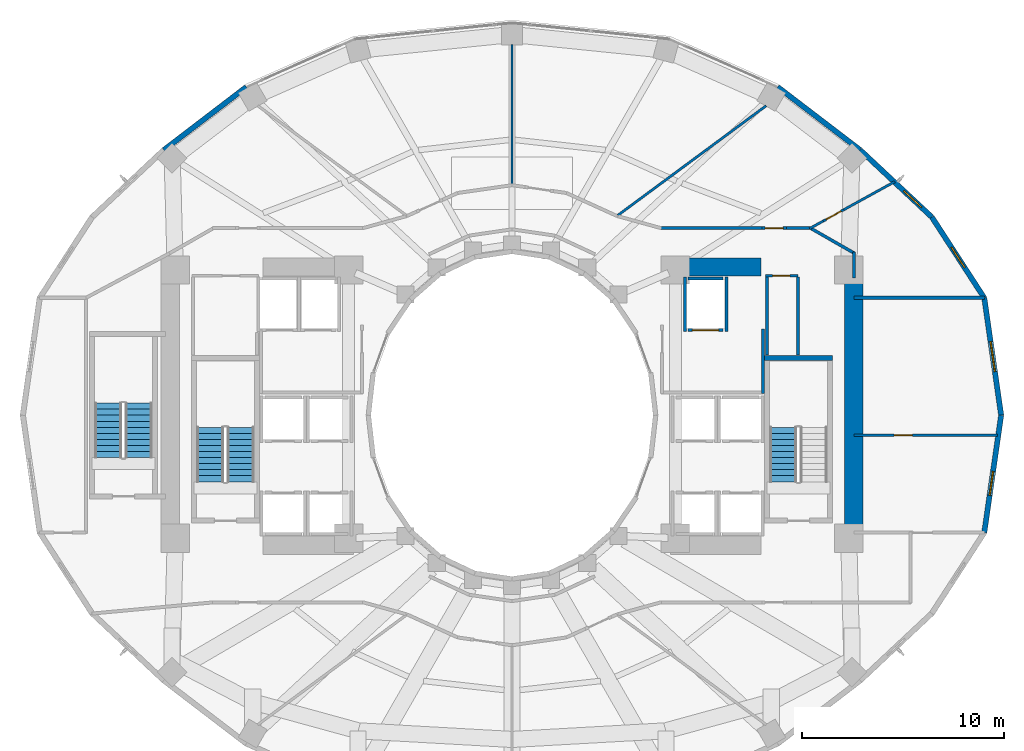
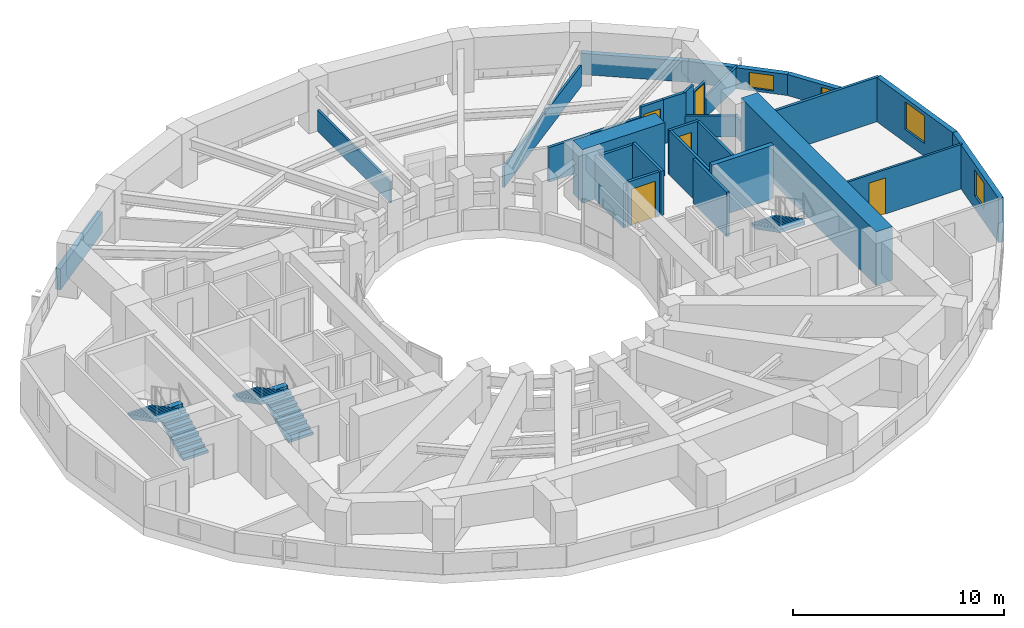
# One storey, part 15 of 19: 29 walls, 5 doors, 5 stair flights, 4 windows, 9 openings, 3 elements without a shape of their own.
"""IFC4 building model written with IfcOpenShell, lengths in metres."""

from ifc_helpers import new_model, si_unit, direction, frame, frame_2d, origin, place, context, subcontext, project, spatial, polyline, rectangle, outline, extrude, material, layer, layer_set, type_object, element, fill, aggregate, save


model = new_model("IFC4")

# Units and contexts
model_context = context("Model", 3, precision=1e-05, world=origin(), true_north=direction((0.0, 1.0)))
body_context = subcontext(model_context, "Body", "Model", "MODEL_VIEW")
ifc_project = project(units=[si_unit("LENGTHUNIT", "METRE"), si_unit("AREAUNIT", "SQUARE_METRE"), si_unit("VOLUMEUNIT", "CUBIC_METRE"), si_unit("PLANEANGLEUNIT", "RADIAN"), si_unit("MASSUNIT", "GRAM", prefix="KILO")], contexts=[model_context])

# Site, building, storey
site_placement = place(None, origin())
site = spatial("IfcSite", under=ifc_project, at=site_placement, CompositionType="ELEMENT")
building_placement = place(site_placement, origin())
building = spatial("IfcBuilding", under=site, at=building_placement, Name="Solvane Sanctuary Tower", CompositionType="ELEMENT")
storey_placement = place(building_placement, frame((0.0, 0.0, 73.199951171875)))
storey = spatial("IfcBuildingStorey", under=building, at=storey_placement, Name="L21", CompositionType="ELEMENT", Elevation=73.199951171875)

# Walls
ifc_material_1 = material(Name="Concrete C70/85", Category="concrete")
ifc_layer_1 = layer(ifc_material_1, 0.89990234375, Name="Concrete C70/85")
ifc_layer_set_1 = layer_set([ifc_layer_1], Name="Concrete C70/85")
wall_type_1 = type_object("IfcWallType", Name="Wall W-CORE-900", PredefinedType="SHEAR", material=ifc_layer_set_1)
wall_1_placement = place(storey_placement, frame((48.949951171875, 17.050048828125, 0.0), z_axis=(0.0, 0.0, 1.0), x_axis=(0.0, 1.0, 0.0)))
element("IfcWall", 1, at=wall_1_placement, inside=storey, type_object=wall_type_1, Name="L21 Core Shear Wall EC-E", PredefinedType="SHEAR", context=body_context, shape_type="SweptSolid", body=[
    extrude(rectangle(XDim=12.800048828125, YDim=0.89990234375, at=frame_2d((6.39990234375, 0.0))), origin(), (0.0, 0.0, 1.0), 3.10009765625),
])
wall_2_placement = place(storey_placement, frame((39.85009765625, 30.35009765625, 0.0), z_axis=(0.0, 0.0, 1.0), x_axis=(1.0, 0.0, 0.0)))
element("IfcWall", 2, at=wall_2_placement, inside=storey, type_object=wall_type_1, Name="L21 Core Shear Wall EC-N", PredefinedType="SHEAR", context=body_context, shape_type="SweptSolid", body=[
    extrude(rectangle(XDim=4.5, YDim=0.89990234375, at=frame_2d((2.25, 0.0))), origin(), (0.0, 0.0, 1.0), 3.10009765625),
])
ifc_material_2 = material(Name="Acoustic Gypsum Partition Board")
ifc_layer_2 = layer(ifc_material_2, 0.14990234375, Name="Acoustic Gypsum Partition Board")
ifc_layer_set_2 = layer_set([ifc_layer_2], Name="Acoustic Gypsum Partition Board")
wall_type_2 = type_object("IfcWallType", Name="Wall W-CORR-150", PredefinedType="PARTITIONING", material=ifc_layer_set_2)
wall_3_placement = place(storey_placement, frame((44.449951171875, 24.080078125, 0.0), z_axis=(0.0, 0.0, 1.0), x_axis=(0.0, 1.0, 0.0)))
element("IfcWall", 3, at=wall_3_placement, inside=storey, type_object=wall_type_2, Name="L21 East Firefighting Lobby East Wall", PredefinedType="PARTITIONING", context=body_context, shape_type="SweptSolid", body=[
    extrude(rectangle(XDim=3.199951171875, YDim=0.14990234375, at=frame_2d((1.60009765625, 0.0))), origin(), (0.0, 0.0, 1.0), 2.574951171875),
])
wall_4_placement = place(storey_placement, frame((48.949951171875, 28.8251953125, 0.0), z_axis=(0.0, 0.0, 1.0), x_axis=(1.0, 0.0, 0.0)))
element("IfcWall", 4, at=wall_4_placement, inside=storey, type_object=wall_type_2, Name="L21 East Shoulder North Wall", PredefinedType="PARTITIONING", context=body_context, shape_type="SweptSolid", body=[
    extrude(rectangle(XDim=6.49169921875, YDim=0.14990234375, at=frame_2d((3.245849609375, 0.0))), origin(), (0.0, 0.0, 1.0), 2.574951171875),
])
wall_5_placement = place(storey_placement, frame((48.949951171875, 29.800048828125, 0.0), z_axis=(0.0, 0.0, 1.0), x_axis=(0.0, 1.0, 0.0)))
element("IfcWall", 5, at=wall_5_placement, inside=storey, type_object=wall_type_2, Name="L21 NE Corner Closer 1", PredefinedType="PARTITIONING", context=body_context, shape_type="SweptSolid", body=[
    extrude(rectangle(XDim=1.2900390625, YDim=0.14990234375, at=frame_2d((0.64501953125, 0.0))), origin(), (0.0, 0.0, 1.0), 1.219970703125),
])
wall_6_placement = place(storey_placement, frame((39.330078125, 32.280029296875, 0.0), z_axis=(0.0, 0.0, 1.0), x_axis=(1.0, 0.0, 0.0)))
element("IfcWall", 6, at=wall_6_placement, inside=storey, type_object=wall_type_2, Name="L21 NE Corner Corridor Wall", PredefinedType="PARTITIONING", context=body_context, shape_type="SweptSolid", body=[
    extrude(rectangle(XDim=5.059814453125, YDim=0.14990234375, at=frame_2d((2.52978515625, 0.0))), origin(), (0.0, 0.0, 1.0), 1.991943359375),
])

# Wall, opening, door
wall_7_placement = place(storey_placement, frame((44.389892578125, 32.280029296875, 0.0), z_axis=(0.0, 0.0, 1.0), x_axis=(1.0, 0.0, 0.0)))
wall_7 = element("IfcWall", 7, at=wall_7_placement, inside=storey, type_object=wall_type_2, Name="L21 NE Corner Corridor Wall", PredefinedType="PARTITIONING", context=body_context, shape_type="SweptSolid", body=[
    extrude(rectangle(XDim=1.22021484375, YDim=0.14990234375, at=frame_2d((0.610107421875, 0.0))), origin(), (0.0, 0.0, 1.0), 2.574951171875),
])
opening_1_placement = place(wall_7_placement, frame((0.159912109375, 0.0, 0.0)))
opening_1 = element("IfcOpeningElement", 8, at=opening_1_placement, cuts=wall_7, Name="Opening D-L21-12", PredefinedType="OPENING", context=body_context, shape_type="SweptSolid", body=[
    extrude(rectangle(XDim=0.89990234375, YDim=2.10009765625, at=frame_2d((0.449951171875, 1.050048828125))), frame((0.0, 0.0849609375, 0.0), z_axis=(0.0, -1.0, 0.0), x_axis=(1.0, 0.0, 0.0)), (0.0, 0.0, 1.0), 0.169921875),
])
ifc_material_3 = material(Name="Engineered Tropical Hardwood", Category="wood")
door_type_1 = type_object("IfcDoorType", Name="Door D-WET-900", OperationType="NOTDEFINED", PredefinedType="DOOR", material=ifc_material_3)
door_1_placement = place(opening_1_placement, origin())
door_1 = element("IfcDoor", 9, at=door_1_placement, inside=storey, type_object=door_type_1, Name="L21 NE Corner Salon Door", OperationType="SINGLE_SWING_LEFT", OverallHeight=2.10009765625, OverallWidth=0.89990234375, PredefinedType="DOOR", context=body_context, shape_type="SweptSolid", body=[
    extrude(rectangle(XDim=0.89990234375, YDim=2.10009765625, at=frame_2d((0.449951171875, 1.050048828125))), frame((0.0, 0.02490234375, 0.0), z_axis=(0.0, -1.0, 0.0), x_axis=(1.0, 0.0, 0.0)), (0.0, 0.0, 1.0), 0.050048828125),
])
fill(opening_1, door_1)

# Walls
wall_8_placement = place(storey_placement, frame((45.610107421875, 32.280029296875, 0.0), z_axis=(0.0, 0.0, 1.0), x_axis=(1.0, 0.0, 0.0)))
element("IfcWall", 10, at=wall_8_placement, inside=storey, type_object=wall_type_2, Name="L21 NE Corner Corridor Wall", PredefinedType="PARTITIONING", context=body_context, shape_type="SweptSolid", body=[
    extrude(rectangle(XDim=1.239990234375, YDim=0.14990234375, at=frame_2d((0.6201171875, 0.0))), origin(), (0.0, 0.0, 1.0), 2.574951171875),
])
wall_9_placement = place(storey_placement, frame((46.756591796875, 32.3046875, 0.0), z_axis=(0.0, 0.0, 1.0), x_axis=(0.867991349648, -0.496579315857, 0.0)))
element("IfcWall", 11, at=wall_9_placement, inside=storey, type_object=wall_type_2, Name="L21 NE Corner Wing Wall", PredefinedType="PARTITIONING", context=body_context, shape_type="SweptSolid", body=[
    extrude(rectangle(XDim=2.56689453125, YDim=0.14990234375, at=frame_2d((1.283447265625, 0.0))), origin(), (0.0, 0.0, 1.0), 1.219970703125),
])

# Wall, opening, window
ifc_material_4 = material(Name="Precast concrete C40/50", Category="concrete")
ifc_layer_3 = layer(ifc_material_4, 0.260009765625, Name="Precast concrete C40/50")
ifc_layer_set_3 = layer_set([ifc_layer_3], Name="Precast concrete C40/50")
wall_type_3 = type_object("IfcWallType", Name="Wall W-EXT-250", PredefinedType="STANDARD", material=ifc_layer_set_3)
wall_10_placement = place(storey_placement, frame((56.260009765625, 23.0, 0.0), z_axis=(0.0, 0.0, 1.0), x_axis=(-0.142572472068, 0.98978436551, 0.0)))
wall_10 = element("IfcWall", 12, at=wall_10_placement, inside=storey, type_object=wall_type_3, Name="L21 Ceramic-Printed Facade Wall 00", PredefinedType="STANDARD", context=body_context, shape_type="SweptSolid", body=[
    extrude(rectangle(XDim=5.878662109375, YDim=0.260009765625, at=frame_2d((2.939453125, 0.0))), origin(), (0.0, 0.0, 1.0), 2.570068359375),
])
opening_2_placement = place(wall_10_placement, frame((2.189453125, 0.0, 0.75)))
opening_2 = element("IfcOpeningElement", 13, at=opening_2_placement, cuts=wall_10, Name="Opening WN-OPER-1500", PredefinedType="OPENING", context=body_context, shape_type="SweptSolid", body=[
    extrude(rectangle(XDim=1.5, YDim=1.60009765625, at=frame_2d((0.75, 0.800048828125))), frame((0.0, 0.139892578125, 0.0), z_axis=(0.0, -1.0, 0.0), x_axis=(1.0, 0.0, 0.0)), (0.0, 0.0, 1.0), 0.280029296875),
])
ifc_material_5 = material(Name="Dark Ceramic-Fritted Low-E Glass", Category="glass")
window_type_1 = type_object("IfcWindowType", Name="Window WN-OPER-1500", PartitioningType="SINGLE_PANEL", PredefinedType="WINDOW", material=ifc_material_5)
window_1_placement = place(opening_2_placement, origin())
window_1 = element("IfcWindow", 14, at=window_1_placement, inside=storey, type_object=window_type_1, Name="L21 Operable Facade Window 00", OverallHeight=1.60009765625, OverallWidth=1.5, PartitioningType="SINGLE_PANEL", PredefinedType="WINDOW", context=body_context, shape_type="SweptSolid", body=[
    extrude(rectangle(XDim=1.5, YDim=1.60009765625, at=frame_2d((0.75, 0.800048828125))), frame((0.0, 0.030029296875, 0.0), z_axis=(0.0, -1.0, 0.0), x_axis=(1.0, 0.0, 0.0)), (0.0, 0.0, 1.0), 0.06005859375),
])
fill(opening_2, window_1)

wall_11_placement = place(storey_placement, frame((55.421875, 28.818603515625, 0.0), z_axis=(0.0, 0.0, 1.0), x_axis=(-0.544388392991, 0.838833283541, 0.0)))
wall_11 = element("IfcWall", 15, at=wall_11_placement, inside=storey, type_object=wall_type_3, Name="L21 Ceramic-Printed Facade Wall 01", PredefinedType="STANDARD", context=body_context, shape_type="SweptSolid", body=[
    extrude(rectangle(XDim=4.7783203125, YDim=0.260009765625, at=frame_2d((2.38916015625, 0.0))), origin(), (0.0, 0.0, 1.0), 1.219970703125),
])
opening_3_placement = place(wall_11_placement, frame((1.7890625, 0.0, 0.14990234375)))
opening_3 = element("IfcOpeningElement", 16, at=opening_3_placement, cuts=wall_11, Name="Opening WN-OPER-1200", PredefinedType="OPENING", context=body_context, shape_type="SweptSolid", body=[
    extrude(rectangle(XDim=1.199951171875, YDim=0.89990234375, at=frame_2d((0.60009765625, 0.449951171875))), frame((0.0, 0.139892578125, 0.0), z_axis=(0.0, -1.0, 0.0), x_axis=(1.0, 0.0, 0.0)), (0.0, 0.0, 1.0), 0.280029296875),
])
window_type_2 = type_object("IfcWindowType", Name="Window WN-OPER-1200", PartitioningType="SINGLE_PANEL", PredefinedType="WINDOW", material=ifc_material_5)
window_2_placement = place(opening_3_placement, origin())
window_2 = element("IfcWindow", 17, at=window_2_placement, inside=storey, type_object=window_type_2, Name="L21 Operable Facade Window 01", OverallHeight=0.89990234375, OverallWidth=1.199951171875, PartitioningType="SINGLE_PANEL", PredefinedType="WINDOW", context=body_context, shape_type="SweptSolid", body=[
    extrude(rectangle(XDim=1.199951171875, YDim=0.89990234375, at=frame_2d((0.60009765625, 0.449951171875))), frame((0.0, 0.030029296875, 0.0), z_axis=(0.0, -1.0, 0.0), x_axis=(1.0, 0.0, 0.0)), (0.0, 0.0, 1.0), 0.06005859375),
])
fill(opening_3, window_2)

wall_12_placement = place(storey_placement, frame((52.820556640625, 32.826904296875, 0.0), z_axis=(0.0, 0.0, 1.0), x_axis=(-0.730162452258, 0.68327358599, 0.0)))
wall_12 = element("IfcWall", 18, at=wall_12_placement, inside=storey, type_object=wall_type_3, Name="L21 Ceramic-Printed Facade Wall 02", PredefinedType="STANDARD", context=body_context, shape_type="SweptSolid", body=[
    extrude(rectangle(XDim=4.868408203125, YDim=0.260009765625, at=frame_2d((2.43408203125, 0.0))), origin(), (0.0, 0.0, 1.0), 1.219970703125),
])
opening_4_placement = place(wall_12_placement, frame((0.7001953125, 0.0, 0.14990234375)))
opening_4 = element("IfcOpeningElement", 19, at=opening_4_placement, cuts=wall_12, Name="Opening WN-OPER-1200", PredefinedType="OPENING", context=body_context, shape_type="SweptSolid", body=[
    extrude(rectangle(XDim=1.199951171875, YDim=0.89990234375, at=frame_2d((0.60009765625, 0.449951171875))), frame((0.0, 0.139892578125, 0.0), z_axis=(0.0, -1.0, 0.0), x_axis=(1.0, 0.0, 0.0)), (0.0, 0.0, 1.0), 0.280029296875),
])
window_3_placement = place(opening_4_placement, origin())
window_3 = element("IfcWindow", 20, at=window_3_placement, inside=storey, type_object=window_type_2, Name="L21 Operable Facade Window 02", OverallHeight=0.89990234375, OverallWidth=1.199951171875, PartitioningType="SINGLE_PANEL", PredefinedType="WINDOW", context=body_context, shape_type="SweptSolid", body=[
    extrude(rectangle(XDim=1.199951171875, YDim=0.89990234375, at=frame_2d((0.60009765625, 0.449951171875))), frame((0.0, 0.030029296875, 0.0), z_axis=(0.0, -1.0, 0.0), x_axis=(1.0, 0.0, 0.0)), (0.0, 0.0, 1.0), 0.06005859375),
])
fill(opening_4, window_3)

# Walls
for number, where, z_axis, x_axis, name in (
    (21, (49.265869140625, 36.1533203125, 0.0), (0.0, 0.0, 1.0), (-0.794809810864, 0.606858603427, 0.0), "L21 Ceramic-Printed Facade Wall 03"),
    (22, (18.82666015625, 39.278076171875, 0.0), (0.0, 0.0, 1.0), (-0.794809810864, -0.606858603427, 0.0), "L21 Ceramic-Printed Facade Wall 08"),
):
    element("IfcWall", number, at=place(storey_placement, frame(where, z_axis=z_axis, x_axis=x_axis)), inside=storey, type_object=wall_type_3, Name=name, PredefinedType="STANDARD", context=body_context, shape_type="SweptSolid", body=[
        extrude(rectangle(XDim=5.149169921875, YDim=0.260009765625, at=frame_2d((2.57470703125, 0.0))), origin(), (0.0, 0.0, 1.0), 1.219970703125),
    ])

# Wall, opening, window
wall_13_placement = place(storey_placement, frame((55.421875, 17.181396484375, 0.0), z_axis=(0.0, 0.0, 1.0), x_axis=(0.142572472068, 0.98978436551, 0.0)))
wall_13 = element("IfcWall", 23, at=wall_13_placement, inside=storey, type_object=wall_type_3, Name="L21 Ceramic-Printed Facade Wall 23", PredefinedType="STANDARD", context=body_context, shape_type="SweptSolid", body=[
    extrude(rectangle(XDim=5.878662109375, YDim=0.260009765625, at=frame_2d((2.939453125, 0.0))), origin(), (0.0, 0.0, 1.0), 2.570068359375),
])
opening_5_placement = place(wall_13_placement, frame((1.859130859375, 0.0, 0.75)))
opening_5 = element("IfcOpeningElement", 24, at=opening_5_placement, cuts=wall_13, Name="Opening WN-OPER-1200", PredefinedType="OPENING", context=body_context, shape_type="SweptSolid", body=[
    extrude(rectangle(XDim=1.199951171875, YDim=1.5, at=frame_2d((0.60009765625, 0.75))), frame((0.0, 0.139892578125, 0.0), z_axis=(0.0, -1.0, 0.0), x_axis=(1.0, 0.0, 0.0)), (0.0, 0.0, 1.0), 0.280029296875),
])
window_4_placement = place(opening_5_placement, origin())
window_4 = element("IfcWindow", 25, at=window_4_placement, inside=storey, type_object=window_type_2, Name="L21 Operable Facade Window 23", OverallHeight=1.5, OverallWidth=1.199951171875, PartitioningType="SINGLE_PANEL", PredefinedType="WINDOW", context=body_context, shape_type="SweptSolid", body=[
    extrude(rectangle(XDim=1.199951171875, YDim=1.5, at=frame_2d((0.60009765625, 0.75))), frame((0.0, 0.030029296875, 0.0), z_axis=(0.0, -1.0, 0.0), x_axis=(1.0, 0.0, 0.0)), (0.0, 0.0, 1.0), 0.06005859375),
])
fill(opening_5, window_4)

# Wall, opening, door
ifc_layer_4 = layer(ifc_material_2, 0.1201171875, Name="Acoustic Gypsum Partition Board")
ifc_layer_set_4 = layer_set([ifc_layer_4], Name="Acoustic Gypsum Partition Board")
wall_type_4 = type_object("IfcWallType", Name="Wall W-MOV-100", PredefinedType="MOVABLE", material=ifc_layer_set_4)
wall_14_placement = place(storey_placement, frame((48.949951171875, 22.0, 0.0), z_axis=(0.0, 0.0, 1.0), x_axis=(1.0, 0.0, 0.0)))
wall_14 = element("IfcWall", 26, at=wall_14_placement, inside=storey, type_object=wall_type_4, Name="L21 East Suite Partition", PredefinedType="MOVABLE", context=body_context, shape_type="SweptSolid", body=[
    extrude(rectangle(XDim=7.126220703125, YDim=0.1201171875, at=frame_2d((3.56298828125, 0.0))), origin(), (0.0, 0.0, 1.0), 2.574951171875),
])
opening_6_placement = place(wall_14_placement, frame((2.0, 0.0, 0.0)))
opening_6 = element("IfcOpeningElement", 27, at=opening_6_placement, cuts=wall_14, Name="Opening D-L21-09", PredefinedType="OPENING", context=body_context, shape_type="SweptSolid", body=[
    extrude(rectangle(XDim=0.89990234375, YDim=2.10009765625, at=frame_2d((0.449951171875, 1.050048828125))), frame((0.0, 0.070068359375, 0.0), z_axis=(0.0, -1.0, 0.0), x_axis=(1.0, 0.0, 0.0)), (0.0, 0.0, 1.0), 0.14013671875),
])
door_2_placement = place(opening_6_placement, origin())
door_2 = element("IfcDoor", 28, at=door_2_placement, inside=storey, type_object=door_type_1, Name="L21 East Suite Internal Door", OperationType="SINGLE_SWING_RIGHT", OverallHeight=2.10009765625, OverallWidth=0.89990234375, PredefinedType="DOOR", context=body_context, shape_type="SweptSolid", body=[
    extrude(rectangle(XDim=0.89990234375, YDim=2.10009765625, at=frame_2d((0.449951171875, 1.050048828125))), frame((0.0, 0.02490234375, 0.0), z_axis=(0.0, -1.0, 0.0), x_axis=(1.0, 0.0, 0.0)), (0.0, 0.0, 1.0), 0.050048828125),
])
fill(opening_6, door_2)

# Wall
wall_15_placement = place(storey_placement, frame((46.756103515625, 32.255859375, 0.0), z_axis=(0.0, 0.0, 1.0), x_axis=(0.875930419429, 0.482437457418, 0.0)))
element("IfcWall", 29, at=wall_15_placement, inside=storey, type_object=wall_type_4, Name="L21 NE Corner Suite Partition", PredefinedType="MOVABLE", context=body_context, shape_type="SweptSolid", body=[
    extrude(rectangle(XDim=0.77685546875, YDim=0.1201171875, at=frame_2d((0.388427734375, 0.0))), origin(), (0.0, 0.0, 1.0), 2.574951171875),
])

# Wall, opening, door
wall_16_placement = place(storey_placement, frame((47.4365234375, 32.630615234375, 0.0), z_axis=(0.0, 0.0, 1.0), x_axis=(0.876030797447, 0.482255162673, 0.0)))
wall_16 = element("IfcWall", 30, at=wall_16_placement, inside=storey, type_object=wall_type_4, Name="L21 NE Corner Suite Partition", PredefinedType="MOVABLE", context=body_context, shape_type="SweptSolid", body=[
    extrude(rectangle(XDim=1.169921875, YDim=0.1201171875, at=frame_2d((0.5849609375, 0.0))), origin(), (0.0, 0.0, 1.0), 2.110107421875),
])
opening_7_placement = place(wall_16_placement, frame((0.159912109375, 0.0, 0.0)))
opening_7 = element("IfcOpeningElement", 31, at=opening_7_placement, cuts=wall_16, Name="Opening D-L21-11", PredefinedType="OPENING", context=body_context, shape_type="SweptSolid", body=[
    extrude(rectangle(XDim=0.85009765625, YDim=2.050048828125, at=frame_2d((0.425048828125, 1.02490234375))), frame((0.0, 0.070068359375, 0.0), z_axis=(0.0, -1.0, 0.0), x_axis=(1.0, 0.0, 0.0)), (0.0, 0.0, 1.0), 0.14013671875),
])
ifc_material_6 = material(Name="Architectural Stainless Steel 316", Category="steel")
door_type_2 = type_object("IfcDoorType", Name="Door D-RISER", OperationType="NOTDEFINED", PredefinedType="DOOR", material=ifc_material_6)
door_3_placement = place(opening_7_placement, origin())
door_3 = element("IfcDoor", 32, at=door_3_placement, inside=storey, type_object=door_type_2, Name="L21 NE Corner Suite Door", OperationType="SINGLE_SWING_RIGHT", OverallHeight=2.050048828125, OverallWidth=0.85009765625, PredefinedType="DOOR", context=body_context, shape_type="SweptSolid", body=[
    extrude(rectangle(XDim=0.85009765625, YDim=2.050048828125, at=frame_2d((0.425048828125, 1.02490234375))), frame((0.0, 0.02490234375, 0.0), z_axis=(0.0, -1.0, 0.0), x_axis=(1.0, 0.0, 0.0)), (0.0, 0.0, 1.0), 0.050048828125),
])
fill(opening_7, door_3)

# Walls
wall_17_placement = place(storey_placement, frame((48.46142578125, 33.19482421875, 0.0), z_axis=(0.0, 0.0, 1.0), x_axis=(0.876000760759, 0.482309721185, 0.0)))
element("IfcWall", 33, at=wall_17_placement, inside=storey, type_object=wall_type_4, Name="L21 NE Corner Suite Partition", PredefinedType="MOVABLE", context=body_context, shape_type="SweptSolid", body=[
    extrude(rectangle(XDim=2.876220703125, YDim=0.1201171875, at=frame_2d((1.43798828125, 0.0))), origin(), (0.0, 0.0, 1.0), 1.219970703125),
])
wall_18_placement = place(storey_placement, frame((37.249267578125, 32.9140625, 0.0), z_axis=(0.0, 0.0, 1.0), x_axis=(0.80430981394, 0.594210167533, 0.0)))
element("IfcWall", 34, at=wall_18_placement, inside=storey, type_object=wall_type_4, Name="L21 Sky Hall Radial Partition 060", PredefinedType="MOVABLE", context=body_context, shape_type="SweptSolid", body=[
    extrude(rectangle(XDim=9.146240234375, YDim=0.1201171875, at=frame_2d((4.5732421875, 0.0))), origin(), (0.0, 0.0, 1.0), 1.219970703125),
])
wall_19_placement = place(storey_placement, frame((32.0, 34.465087890625, 0.0), z_axis=(0.0, 0.0, 1.0), x_axis=(0.0, 1.0, 0.0)))
element("IfcWall", 35, at=wall_19_placement, inside=storey, type_object=wall_type_4, Name="L21 Sky Hall Radial Partition 090", PredefinedType="MOVABLE", context=body_context, shape_type="SweptSolid", body=[
    extrude(rectangle(XDim=6.909912109375, YDim=0.1201171875, at=frame_2d((3.455078125, 0.0))), origin(), (0.0, 0.0, 1.0), 1.219970703125),
])

# Wall, opening, door
ifc_material_7 = material(Name="Concrete C50/60", Category="concrete")
ifc_layer_5 = layer(ifc_material_7, 0.14990234375, Name="Concrete C50/60")
ifc_layer_set_5 = layer_set([ifc_layer_5], Name="Concrete C50/60")
wall_type_5 = type_object("IfcWallType", Name="Wall W-SHAFT-150", PredefinedType="SOLIDWALL", material=ifc_layer_set_5)
wall_20_placement = place(storey_placement, frame((40.739990234375, 27.219970703125, 0.0), z_axis=(0.0, 0.0, 1.0), x_axis=(1.0, 0.0, 0.0)))
wall_20 = element("IfcWall", 36, at=wall_20_placement, inside=storey, type_object=wall_type_5, Name="L21 FFL-2 Lift Shaft Wall F", PredefinedType="SOLIDWALL", context=body_context, shape_type="SweptSolid", body=[
    extrude(rectangle(XDim=1.719970703125, YDim=0.14990234375, at=frame_2d((0.85986328125, 0.0))), origin(), (0.0, 0.0, 1.0), 2.574951171875),
])
opening_8_placement = place(wall_20_placement, frame((0.2099609375, 0.0, 0.0)))
opening_8 = element("IfcOpeningElement", 37, at=opening_8_placement, cuts=wall_20, Name="Opening LD-L21-11", PredefinedType="OPENING", context=body_context, shape_type="SweptSolid", body=[
    extrude(rectangle(XDim=1.300048828125, YDim=2.10009765625, at=frame_2d((0.64990234375, 1.050048828125))), frame((0.0, 0.0849609375, 0.0), z_axis=(0.0, -1.0, 0.0), x_axis=(1.0, 0.0, 0.0)), (0.0, 0.0, 1.0), 0.169921875),
])
door_type_3 = type_object("IfcDoorType", Name="Door LD-FFL-1300", OperationType="NOTDEFINED", PredefinedType="DOOR", material=ifc_material_6)
door_4_placement = place(opening_8_placement, origin())
door_4 = element("IfcDoor", 38, at=door_4_placement, inside=storey, type_object=door_type_3, Name="L21 FFL-2 Lift Landing Door", OperationType="DOUBLE_DOOR_SLIDING", OverallHeight=2.10009765625, OverallWidth=1.300048828125, PredefinedType="DOOR", context=body_context, shape_type="SweptSolid", body=[
    extrude(rectangle(XDim=1.300048828125, YDim=2.10009765625, at=frame_2d((0.64990234375, 1.050048828125))), frame((0.0, 0.02490234375, 0.0), z_axis=(0.0, -1.0, 0.0), x_axis=(1.0, 0.0, 0.0)), (0.0, 0.0, 1.0), 0.050048828125),
])
fill(opening_8, door_4)

# Walls
wall_21_placement = place(storey_placement, frame((40.739990234375, 29.780029296875, 0.0), z_axis=(0.0, 0.0, 1.0), x_axis=(1.0, 0.0, 0.0)))
element("IfcWall", 39, at=wall_21_placement, inside=storey, type_object=wall_type_5, Name="L21 FFL-2 Lift Shaft Wall B", PredefinedType="SOLIDWALL", context=body_context, shape_type="SweptSolid", body=[
    extrude(rectangle(XDim=1.719970703125, YDim=0.14990234375, at=frame_2d((0.85986328125, 0.0))), origin(), (0.0, 0.0, 1.0), 2.574951171875),
])
for number, where, z_axis, x_axis, name in (
    (40, (40.570068359375, 27.139892578125, 0.0), (0.0, 0.0, 1.0), (0.0, 1.0, 0.0), "L21 FFL-2 Lift Shaft Wall S1"),
    (41, (42.6298828125, 27.139892578125, 0.0), (0.0, 0.0, 1.0), (0.0, 1.0, 0.0), "L21 FFL-2 Lift Shaft Wall S2"),
):
    element("IfcWall", number, at=place(storey_placement, frame(where, z_axis=z_axis, x_axis=x_axis)), inside=storey, type_object=wall_type_5, Name=name, PredefinedType="SOLIDWALL", context=body_context, shape_type="SweptSolid", body=[
        extrude(rectangle(XDim=2.72021484375, YDim=0.14990234375, at=frame_2d((1.360107421875, 0.0))), origin(), (0.0, 0.0, 1.0), 2.574951171875),
    ])
ifc_layer_6 = layer(ifc_material_7, 0.25, Name="Concrete C50/60")
ifc_layer_set_6 = layer_set([ifc_layer_6], Name="Concrete C50/60")
wall_type_6 = type_object("IfcWallType", Name="Wall W-SHAFT-250", PredefinedType="SOLIDWALL", material=ifc_layer_set_6)
wall_22_placement = place(storey_placement, frame((44.52490234375, 25.830078125, 0.0), z_axis=(0.0, 0.0, 1.0), x_axis=(1.0, 0.0, 0.0)))
element("IfcWall", 42, at=wall_22_placement, inside=storey, type_object=wall_type_6, Name="L21 ST-2 Load-Bearing Shaft Wall N", PredefinedType="SOLIDWALL", context=body_context, shape_type="SweptSolid", body=[
    extrude(rectangle(XDim=3.3701171875, YDim=0.25, at=frame_2d((1.68505859375, 0.0))), origin(), (0.0, 0.0, 1.0), 3.10009765625),
])

# Wall, opening, door
ifc_layer_7 = layer(ifc_material_2, 0.139892578125, Name="Acoustic Gypsum Partition Board")
ifc_layer_set_7 = layer_set([ifc_layer_7], Name="Acoustic Gypsum Partition Board")
wall_type_7 = type_object("IfcWallType", Name="Wall W-WET-140", PredefinedType="PLUMBINGWALL", material=ifc_layer_set_7)
wall_23_placement = place(storey_placement, frame((44.580078125, 29.919921875, 0.0), z_axis=(0.0, 0.0, 1.0), x_axis=(1.0, 0.0, 0.0)))
wall_23 = element("IfcWall", 43, at=wall_23_placement, inside=storey, type_object=wall_type_7, Name="L21 Core Service Front Wall KE0S", PredefinedType="PLUMBINGWALL", context=body_context, shape_type="SweptSolid", body=[
    extrude(rectangle(XDim=1.599853515625, YDim=0.139892578125, at=frame_2d((0.7998046875, 0.0))), origin(), (0.0, 0.0, 1.0), 2.574951171875),
])
opening_9_placement = place(wall_23_placement, frame((0.35009765625, 0.0, 0.0)))
opening_9 = element("IfcOpeningElement", 44, at=opening_9_placement, cuts=wall_23, Name="Opening D-L21-07", PredefinedType="OPENING", context=body_context, shape_type="SweptSolid", body=[
    extrude(rectangle(XDim=0.85009765625, YDim=2.050048828125, at=frame_2d((0.425048828125, 1.02490234375))), frame((0.0, 0.079833984375, 0.0), z_axis=(0.0, -1.0, 0.0), x_axis=(1.0, 0.0, 0.0)), (0.0, 0.0, 1.0), 0.159912109375),
])
door_5_placement = place(opening_9_placement, origin())
door_5 = element("IfcDoor", 45, at=door_5_placement, inside=storey, type_object=door_type_2, Name="L21 Core Service Room Door KE0S-1", OperationType="SINGLE_SWING_RIGHT", OverallHeight=2.050048828125, OverallWidth=0.85009765625, PredefinedType="DOOR", context=body_context, shape_type="SweptSolid", body=[
    extrude(rectangle(XDim=0.85009765625, YDim=2.050048828125, at=frame_2d((0.425048828125, 1.02490234375))), frame((0.0, 0.02490234375, 0.0), z_axis=(0.0, -1.0, 0.0), x_axis=(1.0, 0.0, 0.0)), (0.0, 0.0, 1.0), 0.050048828125),
])
fill(opening_9, door_5)

# Walls
for number, where, z_axis, x_axis, name in (
    (46, (44.639892578125, 25.97998046875, 0.0), (0.0, 0.0, 1.0), (0.0, 1.0, 0.0), "L21 Core Service Side Wall KE0S-1"),
    (47, (46.179931640625, 25.97998046875, 0.0), (0.0, 0.0, 1.0), (0.0, 1.0, 0.0), "L21 Core Service Side Wall KE0S-2"),
):
    element("IfcWall", number, at=place(storey_placement, frame(where, z_axis=z_axis, x_axis=x_axis)), inside=storey, type_object=wall_type_7, Name=name, PredefinedType="PLUMBINGWALL", context=body_context, shape_type="SweptSolid", body=[
        extrude(rectangle(XDim=3.880126953125, YDim=0.139892578125, at=frame_2d((1.93994140625, 0.0))), origin(), (0.0, 0.0, 1.0), 2.574951171875),
    ])

# Stair, stair flights
ifc_material_8 = material(Name="Concrete C45/55", Category="concrete")
stair_type = type_object("IfcStairType", Name="Stair ST-TOW", PredefinedType="HALF_TURN_STAIR", material=ifc_material_8)
stair_1_placement = place(storey_placement, origin())
stair_1 = element("IfcStair", 48, at=stair_1_placement, inside=storey, type_object=stair_type, Name="L21 Exit Stair ST-1 West Core", PredefinedType="HALF_TURN_STAIR")
stair_flight_type = type_object("IfcStairFlightType", Name="StairFlight SF-TOW", PredefinedType="STRAIGHT", material=ifc_material_8)
stair_flight_1_placement = place(storey_placement, frame((18.544921875, 19.699951171875, 0.0), z_axis=(0.0, 0.0, 1.0), x_axis=(0.0, 1.0, 0.0)))
stair_flight_1 = element("IfcStairFlight", 49, at=stair_flight_1_placement, type_object=stair_flight_type, Name="ST-1 flight 1", NumberOfRisers=10, NumberOfTreads=9, PredefinedType="STRAIGHT", RiserHeight=0.155, TreadLength=0.3, context=body_context, shape_type="SweptSolid", body=[
    extrude(outline(polyline([(0.0, 0.0), (0.0, 0.155029296875), (0.300048828125, 0.155029296875), (0.300048828125, 0.31005859375), (0.60009765625, 0.31005859375), (0.60009765625, 0.465087890625), (0.89990234375, 0.465087890625), (0.89990234375, 0.6201171875), (1.199951171875, 0.6201171875), (1.199951171875, 0.77490234375), (1.5, 0.77490234375), (1.5, 0.929931640625), (1.800048828125, 0.929931640625), (1.800048828125, 1.0849609375), (2.10009765625, 1.0849609375), (2.10009765625, 1.239990234375), (2.39990234375, 1.239990234375), (2.39990234375, 1.39501953125), (2.699951171875, 1.39501953125), (2.699951171875, 1.550048828125), (2.699951171875, 1.1923828125), (0.39208984375, 0.0), (0.0, 0.0)])), frame((0.0, 0.675048828125, 0.0), z_axis=(0.0, -1.0, 0.0), x_axis=(1.0, 0.0, 0.0)), (0.0, 0.0, 1.0), 1.35009765625),
])
stair_flight_2_placement = place(storey_placement, frame((17.034912109375, 22.39990234375, 1.550048828125), z_axis=(0.0, 0.0, 1.0), x_axis=(0.0, -1.0, 0.0)))
stair_flight_2 = element("IfcStairFlight", 50, at=stair_flight_2_placement, type_object=stair_flight_type, Name="ST-1 flight 2", NumberOfRisers=10, NumberOfTreads=9, PredefinedType="STRAIGHT", RiserHeight=0.155, TreadLength=0.3, context=body_context, shape_type="SweptSolid", body=[
    extrude(outline(polyline([(0.0, 0.0), (0.0, 0.155029296875), (0.300048828125, 0.155029296875), (0.300048828125, 0.31005859375), (0.60009765625, 0.31005859375), (0.60009765625, 0.465087890625), (0.89990234375, 0.465087890625), (0.89990234375, 0.6201171875), (1.199951171875, 0.6201171875), (1.199951171875, 0.77490234375), (1.5, 0.77490234375), (1.5, 0.929931640625), (1.800048828125, 0.929931640625), (1.800048828125, 1.0849609375), (2.10009765625, 1.0849609375), (2.10009765625, 1.239990234375), (2.39990234375, 1.239990234375), (2.39990234375, 1.39501953125), (2.699951171875, 1.39501953125), (2.699951171875, 1.550048828125), (2.699951171875, 1.1923828125), (0.39208984375, 0.0), (0.0, 0.0)])), frame((0.0, 0.675048828125, 0.0), z_axis=(0.0, -1.0, 0.0), x_axis=(1.0, 0.0, 0.0)), (0.0, 0.0, 1.0), 1.35009765625),
])
aggregate(stair_1, [stair_flight_1, stair_flight_2])

# Stair, stair flight
stair_2_placement = place(storey_placement, origin())
stair_2 = element("IfcStair", 51, at=stair_2_placement, inside=storey, type_object=stair_type, Name="L21 Exit Stair ST-2 East Core", PredefinedType="HALF_TURN_STAIR")
stair_flight_3_placement = place(storey_placement, frame((45.455078125, 22.39990234375, 1.550048828125), z_axis=(0.0, 0.0, 1.0), x_axis=(0.0, -1.0, 0.0)))
stair_flight_3 = element("IfcStairFlight", 52, at=stair_flight_3_placement, type_object=stair_flight_type, Name="ST-2 flight 2", NumberOfRisers=10, NumberOfTreads=9, PredefinedType="STRAIGHT", RiserHeight=0.155, TreadLength=0.3, context=body_context, shape_type="SweptSolid", body=[
    extrude(outline(polyline([(0.0, 0.0), (0.0, 0.155029296875), (0.300048828125, 0.155029296875), (0.300048828125, 0.31005859375), (0.60009765625, 0.31005859375), (0.60009765625, 0.465087890625), (0.89990234375, 0.465087890625), (0.89990234375, 0.6201171875), (1.199951171875, 0.6201171875), (1.199951171875, 0.77490234375), (1.5, 0.77490234375), (1.5, 0.929931640625), (1.800048828125, 0.929931640625), (1.800048828125, 1.0849609375), (2.10009765625, 1.0849609375), (2.10009765625, 1.239990234375), (2.39990234375, 1.239990234375), (2.39990234375, 1.39501953125), (2.699951171875, 1.39501953125), (2.699951171875, 1.550048828125), (2.699951171875, 1.1923828125), (0.39208984375, 0.0), (0.0, 0.0)])), frame((0.0, 0.675048828125, 0.0), z_axis=(0.0, -1.0, 0.0), x_axis=(1.0, 0.0, 0.0)), (0.0, 0.0, 1.0), 1.35009765625),
])
aggregate(stair_2, [stair_flight_3])

# Stair, stair flights
stair_3_placement = place(storey_placement, origin())
stair_3 = element("IfcStair", 53, at=stair_3_placement, inside=storey, type_object=stair_type, Name="L21 Exit Stair ST-3 Pilgrim Tower Stair", PredefinedType="HALF_TURN_STAIR")
stair_flight_4_placement = place(storey_placement, frame((13.485107421875, 20.89990234375, 0.0), z_axis=(0.0, 0.0, 1.0), x_axis=(0.0, 1.0, 0.0)))
stair_flight_4 = element("IfcStairFlight", 54, at=stair_flight_4_placement, type_object=stair_flight_type, Name="ST-3 flight 1", NumberOfRisers=10, NumberOfTreads=9, PredefinedType="STRAIGHT", RiserHeight=0.155, TreadLength=0.3, context=body_context, shape_type="SweptSolid", body=[
    extrude(outline(polyline([(0.0, 0.0), (0.0, 0.155029296875), (0.300048828125, 0.155029296875), (0.300048828125, 0.31005859375), (0.60009765625, 0.31005859375), (0.60009765625, 0.465087890625), (0.89990234375, 0.465087890625), (0.89990234375, 0.6201171875), (1.199951171875, 0.6201171875), (1.199951171875, 0.77490234375), (1.5, 0.77490234375), (1.5, 0.929931640625), (1.800048828125, 0.929931640625), (1.800048828125, 1.0849609375), (2.10009765625, 1.0849609375), (2.10009765625, 1.239990234375), (2.39990234375, 1.239990234375), (2.39990234375, 1.39501953125), (2.699951171875, 1.39501953125), (2.699951171875, 1.550048828125), (2.699951171875, 1.1923828125), (0.39208984375, 0.0), (0.0, 0.0)])), frame((0.0, 0.675048828125, 0.0), z_axis=(0.0, -1.0, 0.0), x_axis=(1.0, 0.0, 0.0)), (0.0, 0.0, 1.0), 1.35009765625),
])
stair_flight_5_placement = place(storey_placement, frame((11.97509765625, 23.60009765625, 1.550048828125), z_axis=(0.0, 0.0, 1.0), x_axis=(0.0, -1.0, 0.0)))
stair_flight_5 = element("IfcStairFlight", 55, at=stair_flight_5_placement, type_object=stair_flight_type, Name="ST-3 flight 2", NumberOfRisers=10, NumberOfTreads=9, PredefinedType="STRAIGHT", RiserHeight=0.155, TreadLength=0.3, context=body_context, shape_type="SweptSolid", body=[
    extrude(outline(polyline([(0.0, 0.0), (0.0, 0.155029296875), (0.300048828125, 0.155029296875), (0.300048828125, 0.31005859375), (0.60009765625, 0.31005859375), (0.60009765625, 0.465087890625), (0.89990234375, 0.465087890625), (0.89990234375, 0.6201171875), (1.199951171875, 0.6201171875), (1.199951171875, 0.77490234375), (1.5, 0.77490234375), (1.5, 0.929931640625), (1.800048828125, 0.929931640625), (1.800048828125, 1.0849609375), (2.10009765625, 1.0849609375), (2.10009765625, 1.239990234375), (2.39990234375, 1.239990234375), (2.39990234375, 1.39501953125), (2.699951171875, 1.39501953125), (2.699951171875, 1.550048828125), (2.699951171875, 1.1923828125), (0.39208984375, 0.0), (0.0, 0.0)])), frame((0.0, 0.675048828125, 0.0), z_axis=(0.0, -1.0, 0.0), x_axis=(1.0, 0.0, 0.0)), (0.0, 0.0, 1.0), 1.35009765625),
])
aggregate(stair_3, [stair_flight_4, stair_flight_5])

save(model, "model.ifc")
